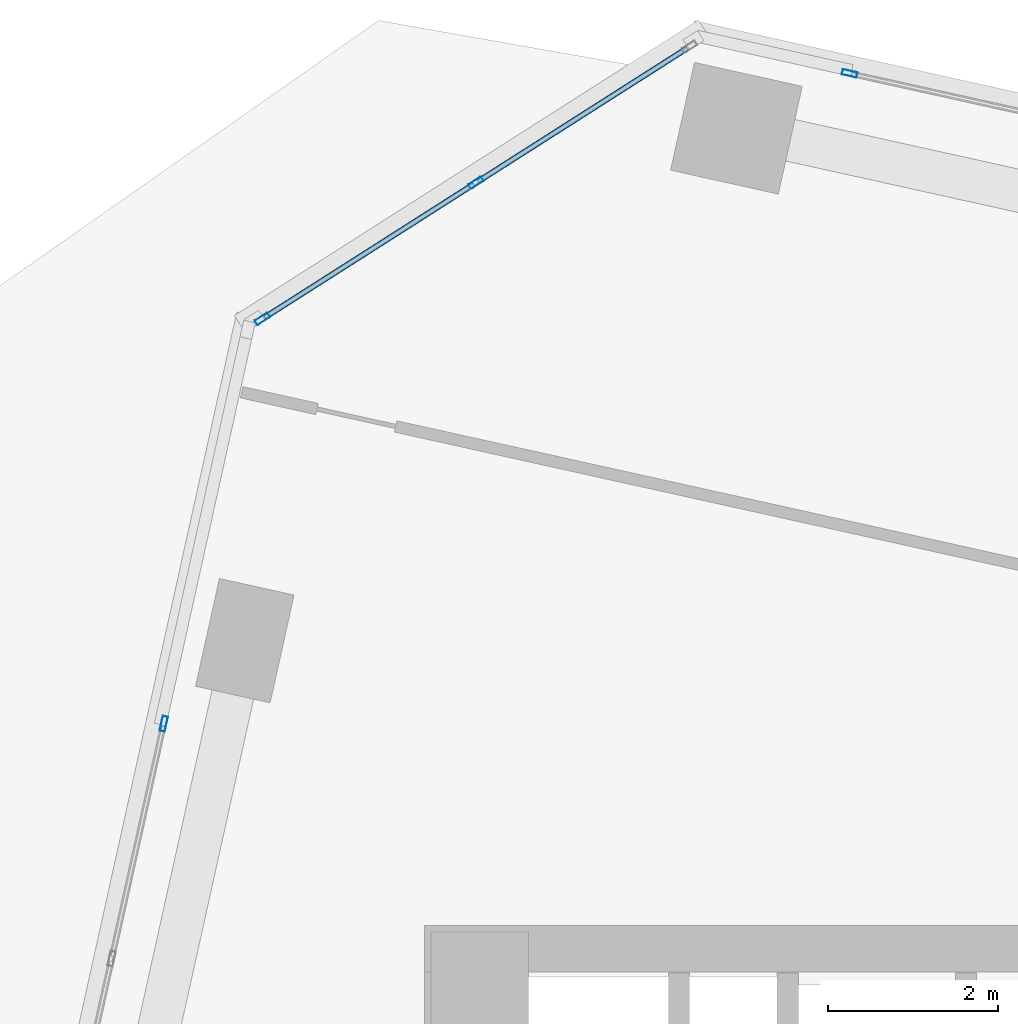
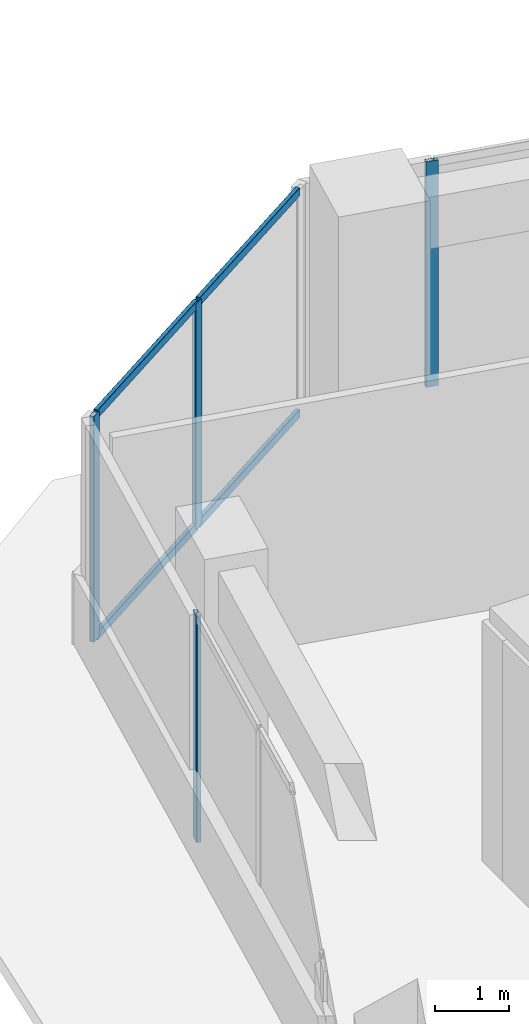
# One storey, part 15 of 25: 8 members, 3 elements without a shape of their own.
"""IFC4 building model written with IfcOpenShell, lengths in metres."""

from ifc_helpers import new_model, si_unit, direction, frame, origin, origin_2d, place, context, subcontext, project, spatial, hollow_rectangle, extrude, source, transform, mapped, material, material_profile, profile_set, type_object, element, aggregate, save


model = new_model("IFC4")

# Units and contexts
model_context = context("Model", 3, precision=1e-05, world=origin(), true_north=direction((0.0, 1.0)))
body_context = subcontext(model_context, "Body", "Model", "MODEL_VIEW")
ifc_project = project(units=[si_unit("LENGTHUNIT", "METRE"), si_unit("AREAUNIT", "SQUARE_METRE"), si_unit("VOLUMEUNIT", "CUBIC_METRE"), si_unit("PLANEANGLEUNIT", "RADIAN"), si_unit("MASSUNIT", "GRAM", prefix="KILO")], contexts=[model_context])

# Site, building, storey
site_placement = place(None, origin())
site = spatial("IfcSite", under=ifc_project, at=site_placement, CompositionType="ELEMENT")
building_placement = place(site_placement, origin())
building = spatial("IfcBuilding", under=site, at=building_placement, Name="Torre Montelarca", CompositionType="ELEMENT")
storey_placement = place(building_placement, frame((0.0, 0.0, 87.39990234375)))
storey = spatial("IfcBuildingStorey", under=building, at=storey_placement, Name="L19", CompositionType="ELEMENT", Elevation=87.39990234375)

# Curtain wall, members
ifc_material_1 = material(Name="Insulated low-E laminated glass", Category="glass")
curtain_wall_type = type_object("IfcCurtainWallType", Name="CW-SYS-Z1", PredefinedType="USERDEFINED", material=ifc_material_1)
curtain_wall_1_placement = place(storey_placement, origin())
curtain_wall_1 = element("IfcCurtainWall", 1, at=curtain_wall_1_placement, inside=storey, type_object=curtain_wall_type, Name="L19 Curtain Wall Run CW-T3-L19-E09-B1", ObjectType="UNITISED GLAZING", PredefinedType="USERDEFINED")
ifc_material_2 = material(Name="Anodised aluminium AA 6063-T6", Category="aluminium")
ifc_material_profile_1 = material_profile(ifc_material_2, hollow_rectangle(XDim=0.06494140625, YDim=0.139892578125, WallThickness=0.00390625, InnerFilletRadius=0.00390625, OuterFilletRadius=0.008056640625, at=origin_2d()), Name="ALU65X140X4", Category="aluminium")
ifc_profile_set_1 = profile_set([ifc_material_profile_1], Name="Anodised aluminium AA 6063-T6")
member_type_1 = type_object("IfcMemberType", Name="CWT-ALU140", PredefinedType="USERDEFINED", material=ifc_profile_set_1)
shared_shape_1 = source(origin(), body_context, "Body", "SweptSolid", [
    extrude(hollow_rectangle(XDim=0.06494140625, YDim=0.139892578125, WallThickness=0.00390625, InnerFilletRadius=0.00390625, OuterFilletRadius=0.008056640625, at=origin_2d()), origin(), (0.0, 0.0, 1.0), 2.9189453125),
])
member_1_placement = place(storey_placement, frame((11.994384765625, 50.439453125, 0.03271484375), z_axis=(-0.843375504823, -0.53732462987, 0.0), x_axis=(0.53732462987, -0.843375504823, 0.0)))
member_1 = element("IfcMember", 2, at=member_1_placement, type_object=member_type_1, Name="CW transom 1.1", ObjectType="TRANSOM", PredefinedType="USERDEFINED", context=body_context, shape_type="MappedRepresentation", body=[
    mapped(shared_shape_1, transform((0.0, 0.0, 0.0), scale=1.0)),
])
member_2_placement = place(storey_placement, frame((11.994384765625, 50.439453125, 3.6875), z_axis=(-0.843375504823, -0.53732462987, 0.0), x_axis=(0.53732462987, -0.843375504823, 0.0)))
member_2 = element("IfcMember", 3, at=member_2_placement, type_object=member_type_1, Name="CW transom 1.2", ObjectType="TRANSOM", PredefinedType="USERDEFINED", context=body_context, shape_type="MappedRepresentation", body=[
    mapped(shared_shape_1, transform((0.0, 0.0, 0.0), scale=1.0)),
])
member_3_placement = place(storey_placement, frame((9.47802734375, 48.836181640625, 0.03271484375), z_axis=(-0.843375504823, -0.53732462987, 0.0), x_axis=(0.53732462987, -0.843375504823, 0.0)))
member_3 = element("IfcMember", 4, at=member_3_placement, type_object=member_type_1, Name="CW transom 2.1", ObjectType="TRANSOM", PredefinedType="USERDEFINED", context=body_context, shape_type="MappedRepresentation", body=[
    mapped(shared_shape_1, transform((0.0, 0.0, 0.0), scale=1.0)),
])
member_4_placement = place(storey_placement, frame((9.47802734375, 48.836181640625, 3.6875), z_axis=(-0.843375504823, -0.53732462987, 0.0), x_axis=(0.53732462987, -0.843375504823, 0.0)))
member_4 = element("IfcMember", 5, at=member_4_placement, type_object=member_type_1, Name="CW transom 2.2", ObjectType="TRANSOM", PredefinedType="USERDEFINED", context=body_context, shape_type="MappedRepresentation", body=[
    mapped(shared_shape_1, transform((0.0, 0.0, 0.0), scale=1.0)),
])

# Curtain wall, member
curtain_wall_2_placement = place(storey_placement, origin())
curtain_wall_2 = element("IfcCurtainWall", 6, at=curtain_wall_2_placement, inside=storey, type_object=curtain_wall_type, Name="L19 Curtain Wall Run CW-T3-L19-E08-B4", ObjectType="UNITISED GLAZING", PredefinedType="USERDEFINED")
ifc_material_profile_2 = material_profile(ifc_material_2, hollow_rectangle(XDim=0.06494140625, YDim=0.179931640625, WallThickness=0.00390625, InnerFilletRadius=0.00390625, OuterFilletRadius=0.008056640625, at=origin_2d()), Name="ALU65X180X4", Category="aluminium")
ifc_profile_set_2 = profile_set([ifc_material_profile_2], Name="Anodised aluminium AA 6063-T6")
member_type_2 = type_object("IfcMemberType", Name="CWM-ALU180", PredefinedType="MULLION", material=ifc_profile_set_2)
shared_shape_2 = source(origin(), body_context, "Body", "SweptSolid", [
    extrude(hollow_rectangle(XDim=0.06494140625, YDim=0.179931640625, WallThickness=0.00390625, InnerFilletRadius=0.00390625, OuterFilletRadius=0.008056640625, at=origin_2d()), origin(), (0.0, 0.0, 1.0), 3.72021484375),
])
member_5_placement = place(storey_placement, frame((13.909423828125, 50.142822265625, 0.0), z_axis=(0.0, 0.0, 1.0), x_axis=(-0.216426148151, -0.976298992316, 0.0)))
member_5 = element("IfcMember", 7, at=member_5_placement, type_object=member_type_2, Name="CW mullion 3", PredefinedType="MULLION", context=body_context, shape_type="MappedRepresentation", body=[
    mapped(shared_shape_2, transform((0.0, 0.0, 0.0), scale=1.0)),
])
aggregate(curtain_wall_2, [member_5])

# Member
member_6_placement = place(storey_placement, frame((9.50537109375, 48.853759765625, 0.0), z_axis=(0.0, 0.0, 1.0), x_axis=(0.537316274487, -0.843380828079, 0.0)))
member_6 = element("IfcMember", 8, at=member_6_placement, type_object=member_type_2, Name="CW mullion 2", PredefinedType="MULLION", context=body_context, shape_type="MappedRepresentation", body=[
    mapped(shared_shape_2, transform((0.0, 0.0, 0.0), scale=1.0)),
])

member_7_placement = place(storey_placement, frame((6.989013671875, 47.25048828125, 0.0), z_axis=(0.0, 0.0, 1.0), x_axis=(0.537316274487, -0.843380828079, 0.0)))
member_7 = element("IfcMember", 9, at=member_7_placement, type_object=member_type_2, Name="CW mullion 3", PredefinedType="MULLION", context=body_context, shape_type="MappedRepresentation", body=[
    mapped(shared_shape_2, transform((0.0, 0.0, 0.0), scale=1.0)),
])

aggregate(curtain_wall_1, [member_6, member_7, member_1, member_2, member_3, member_4])

# Curtain wall, member
curtain_wall_3_placement = place(storey_placement, origin())
curtain_wall_3 = element("IfcCurtainWall", 10, at=curtain_wall_3_placement, inside=storey, type_object=curtain_wall_type, Name="L19 Curtain Wall Run CW-T3-L19-E10-B1", ObjectType="UNITISED GLAZING", PredefinedType="USERDEFINED")
member_8_placement = place(storey_placement, frame((5.826416015625, 42.478271484375, 0.0), z_axis=(0.0, 0.0, 1.0), x_axis=(0.976295156344, -0.216443451505, 0.0)))
member_8 = element("IfcMember", 11, at=member_8_placement, type_object=member_type_2, Name="CW mullion 1", PredefinedType="MULLION", context=body_context, shape_type="MappedRepresentation", body=[
    mapped(shared_shape_2, transform((0.0, 0.0, 0.0), scale=1.0)),
])
aggregate(curtain_wall_3, [member_8])

save(model, "model.ifc")
